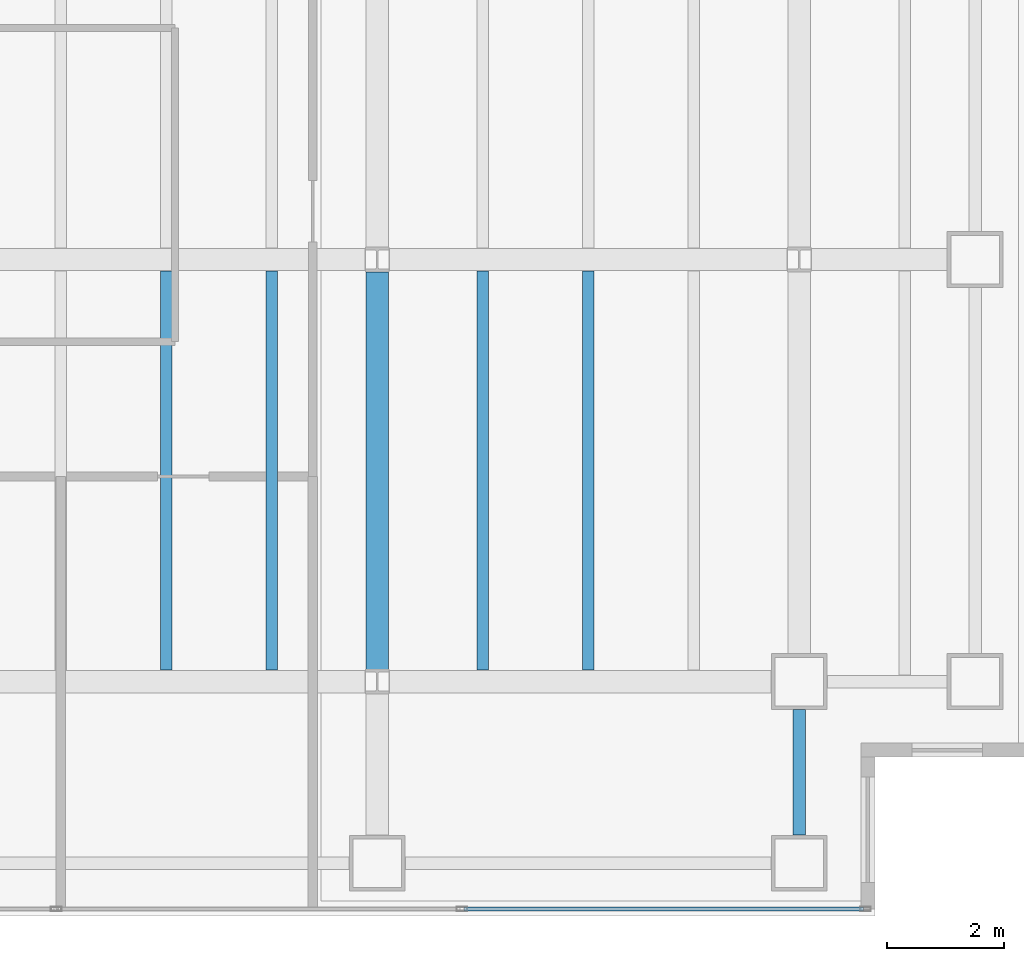
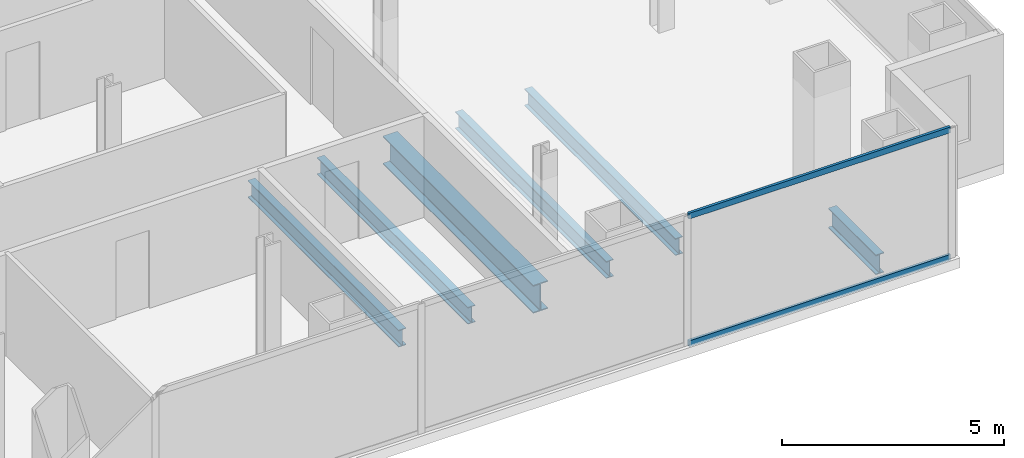
# One storey, part 10 of 24: 6 beams, 2 members, 1 element without a shape of its own.
"""IFC4 building model written with IfcOpenShell, lengths in metres."""

from ifc_helpers import new_model, si_unit, direction, frame, origin, origin_2d, place, context, subcontext, project, spatial, hollow_rectangle, i_section, extrude, material, material_profile, profile_set, type_object, element, aggregate, save


model = new_model("IFC4")

# Units and contexts
model_context = context("Model", 3, precision=1e-05, world=origin(), true_north=direction((0.0, 1.0)))
body_context = subcontext(model_context, "Body", "Model", "MODEL_VIEW")
ifc_project = project(units=[si_unit("LENGTHUNIT", "METRE"), si_unit("AREAUNIT", "SQUARE_METRE"), si_unit("VOLUMEUNIT", "CUBIC_METRE"), si_unit("PLANEANGLEUNIT", "RADIAN"), si_unit("MASSUNIT", "GRAM", prefix="KILO")], contexts=[model_context])

# Site, building, storey
site_placement = place(None, origin())
site = spatial("IfcSite", under=ifc_project, at=site_placement, CompositionType="ELEMENT")
building_placement = place(site_placement, origin())
building = spatial("IfcBuilding", under=site, at=building_placement, Name="Cobrela Telecom Tower", CompositionType="ELEMENT")
storey_placement = place(building_placement, frame((0.0, 0.0, 106.050048828125)))
storey = spatial("IfcBuildingStorey", under=building, at=storey_placement, Name="L26", CompositionType="ELEMENT", Elevation=106.050048828125)

# Beams
ifc_material_1 = material(Name="Steel ASTM A992 Grade 50", Category="steel")
ifc_material_profile_1 = material_profile(ifc_material_1, i_section(OverallWidth=0.381103515625, OverallDepth=0.77197265625, WebThickness=0.0166015625, FlangeThickness=0.027099609375, FilletRadius=0.01904296875, at=origin_2d()), Name="W30X173")
ifc_profile_set_1 = profile_set([ifc_material_profile_1], Name="Steel ASTM A992 Grade 50")
beam_type_1 = type_object("IfcBeamType", Name="BM-GIRD-04", PredefinedType="USERDEFINED", material=ifc_profile_set_1)
beam_1_placement = place(storey_placement, frame((36.0, 7.409423828125, -0.656005859375), z_axis=(0.0, 1.0, 0.0), x_axis=(-1.0, 0.0, 0.0)))
element("IfcBeam", 1, at=beam_1_placement, inside=storey, type_object=beam_type_1, Name="L26 Primary Girder Y50", ObjectType="GIRDER", PredefinedType="USERDEFINED", context=body_context, shape_type="SweptSolid", body=[
    extrude(i_section(OverallWidth=0.381103515625, OverallDepth=0.77197265625, WebThickness=0.0166015625, FlangeThickness=0.027099609375, FilletRadius=0.01904296875, at=origin_2d()), origin(), (0.0, 0.0, 1.0), 6.781005859375),
])
ifc_material_profile_2 = material_profile(ifc_material_1, i_section(OverallWidth=0.193115234375, OverallDepth=0.467041015625, WebThickness=0.011474609375, FlangeThickness=0.01904296875, FilletRadius=0.012939453125, at=origin_2d()), Name="W18X65")
ifc_profile_set_2 = profile_set([ifc_material_profile_2], Name="Steel ASTM A992 Grade 50")
beam_type_2 = type_object("IfcBeamType", Name="BM-JOIST-03", PredefinedType="JOIST", material=ifc_profile_set_2)
for number, where, z_axis, x_axis, name in (
    (2, (32.39990234375, 7.3955078125, -0.503662109375), (0.0, 1.0, 0.0), (-1.0, 0.0, 0.0), "L26 Secondary Composite Floor Beam J29"),
    (3, (34.199951171875, 7.3955078125, -0.503662109375), (0.0, 1.0, 0.0), (-1.0, 0.0, 0.0), "L26 Secondary Composite Floor Beam J31"),
    (4, (37.800048828125, 7.3955078125, -0.503662109375), (0.0, 1.0, 0.0), (-1.0, 0.0, 0.0), "L26 Secondary Composite Floor Beam J33"),
    (5, (39.60009765625, 7.3955078125, -0.503662109375), (0.0, 1.0, 0.0), (-1.0, 0.0, 0.0), "L26 Secondary Composite Floor Beam J35"),
):
    element("IfcBeam", number, at=place(storey_placement, frame(where, z_axis=z_axis, x_axis=x_axis)), inside=storey, type_object=beam_type_2, Name=name, PredefinedType="JOIST", context=body_context, shape_type="SweptSolid", body=[
        extrude(i_section(OverallWidth=0.193115234375, OverallDepth=0.467041015625, WebThickness=0.011474609375, FlangeThickness=0.01904296875, FilletRadius=0.012939453125, at=origin_2d()), origin(), (0.0, 0.0, 1.0), 6.80908203125),
    ])
ifc_material_profile_3 = material_profile(ifc_material_1, i_section(OverallWidth=0.212890625, OverallDepth=0.549072265625, WebThickness=0.0146484375, FlangeThickness=0.023681640625, FilletRadius=0.013916015625, at=origin_2d()), Name="W21X93")
ifc_profile_set_3 = profile_set([ifc_material_profile_3], Name="Steel ASTM A992 Grade 50")
beam_type_3 = type_object("IfcBeamType", Name="BM-SPAND-03", PredefinedType="SPANDREL", material=ifc_profile_set_3)
beam_2_placement = place(storey_placement, frame((43.199951171875, 4.580078125, -0.54443359375), z_axis=(0.0, 1.0, 0.0), x_axis=(-1.0, 0.0, 0.0)))
element("IfcBeam", 6, at=beam_2_placement, inside=storey, type_object=beam_type_3, Name="L26 Perimeter Spandrel Y52", PredefinedType="SPANDREL", context=body_context, shape_type="SweptSolid", body=[
    extrude(i_section(OverallWidth=0.212890625, OverallDepth=0.549072265625, WebThickness=0.0146484375, FlangeThickness=0.023681640625, FilletRadius=0.013916015625, at=origin_2d()), origin(), (0.0, 0.0, 1.0), 2.139892578125),
])

# Curtain wall, members
ifc_material_2 = material(Name="Anodized Bronze Aluminium 6063-T6", Category="aluminium")
curtain_wall_type = type_object("IfcCurtainWallType", Name="CW-SYS-TEL", PredefinedType="USERDEFINED", material=ifc_material_2)
curtain_wall_placement = place(storey_placement, origin())
curtain_wall = element("IfcCurtainWall", 7, at=curtain_wall_placement, inside=storey, type_object=curtain_wall_type, Name="L26 Unitised Bronze Curtain Wall 17", ObjectType="UNITISED CURTAIN WALL", PredefinedType="USERDEFINED")
ifc_material_profile_4 = material_profile(ifc_material_2, hollow_rectangle(XDim=0.070068359375, YDim=0.159912109375, WallThickness=0.00390625, at=origin_2d()), Name="ALU 70x160x4")
ifc_profile_set_4 = profile_set([ifc_material_profile_4], Name="Anodized Bronze Aluminium 6063-T6")
member_type = type_object("IfcMemberType", Name="CW-SYS-TEL-TRN", PredefinedType="USERDEFINED", material=ifc_profile_set_4)
member_1_placement = place(storey_placement, frame((44.294921875, 3.320068359375, 0.034912109375), z_axis=(-1.0, 0.0, 0.0), x_axis=(0.0, -1.0, 0.0)))
member_1 = element("IfcMember", 8, at=member_1_placement, type_object=member_type, Name="CW-TEL transom 1.1", ObjectType="TRANSOM", PredefinedType="USERDEFINED", context=body_context, shape_type="SweptSolid", body=[
    extrude(hollow_rectangle(XDim=0.070068359375, YDim=0.159912109375, WallThickness=0.00390625, at=origin_2d()), origin(), (0.0, 0.0, 1.0), 6.810791015625),
])
member_2_placement = place(storey_placement, frame((44.294921875, 3.320068359375, 3.544921875), z_axis=(-1.0, 0.0, 0.0), x_axis=(0.0, -1.0, 0.0)))
member_2 = element("IfcMember", 9, at=member_2_placement, type_object=member_type, Name="CW-TEL transom 1.2", ObjectType="TRANSOM", PredefinedType="USERDEFINED", context=body_context, shape_type="SweptSolid", body=[
    extrude(hollow_rectangle(XDim=0.070068359375, YDim=0.159912109375, WallThickness=0.00390625, at=origin_2d()), origin(), (0.0, 0.0, 1.0), 6.810791015625),
])
aggregate(curtain_wall, [member_1, member_2])

save(model, "model.ifc")
